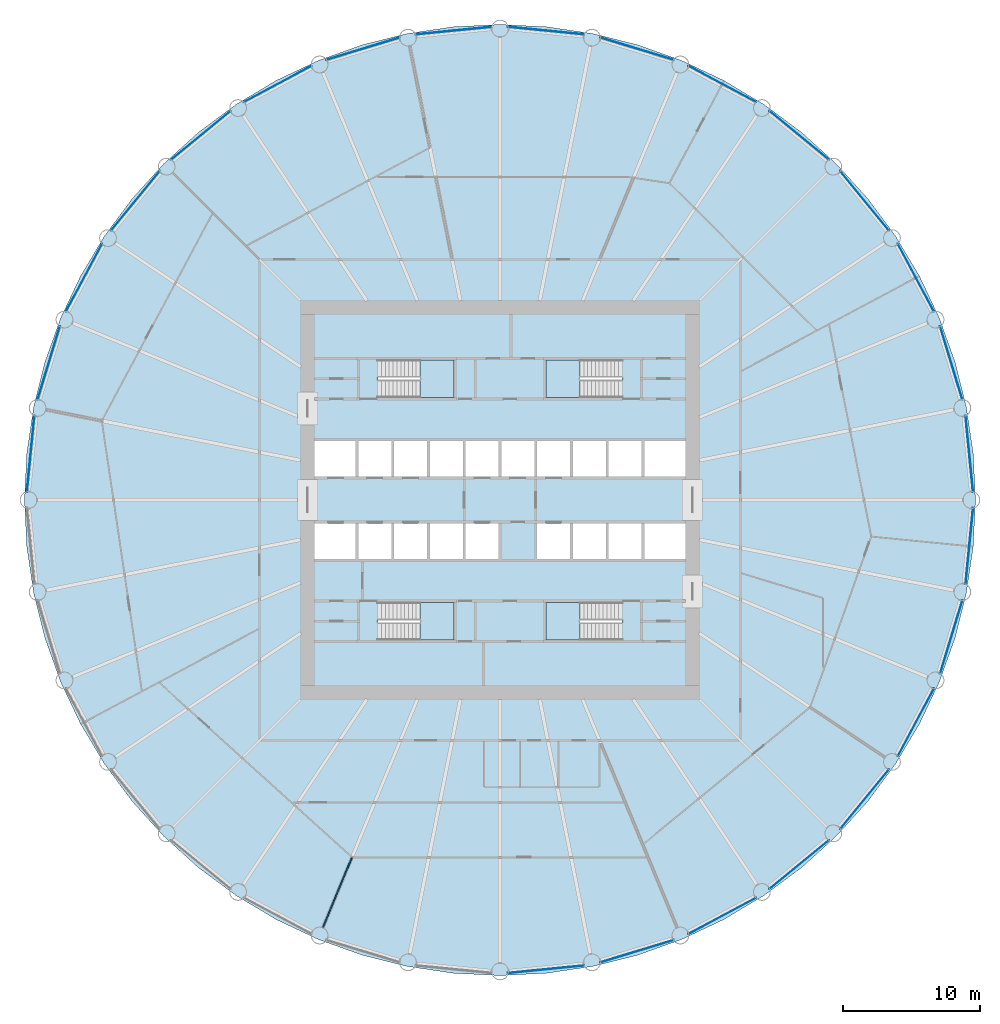
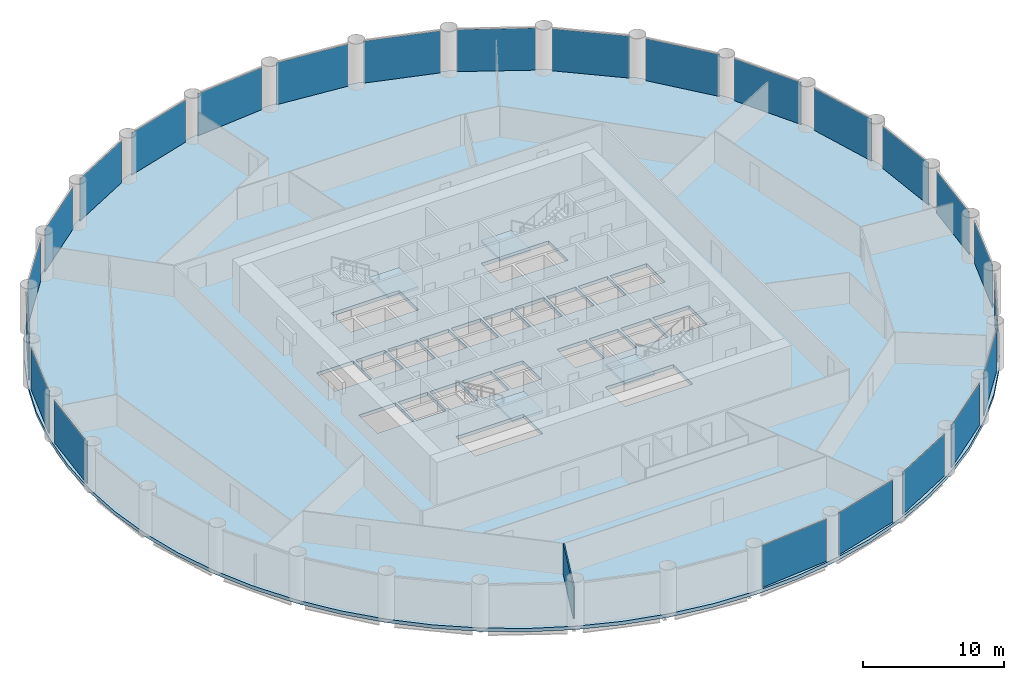
# One storey, part 3 of 8: 24 plates, 5 slabs, 1 wall, 28 elements without a shape of their own.
"""IFC4 building model written with IfcOpenShell, lengths in metres."""

from ifc_helpers import new_model, si_unit, direction, frame, frame_2d, origin, origin_2d, place, context, subcontext, project, spatial, polyline, rectangle, outline, extrude, material, layer, layer_set, type_object, element, aggregate, save


model = new_model("IFC4")

# Units and contexts
model_context = context("Model", 3, precision=1e-05, world=origin(), true_north=direction((0.0, 1.0)))
body_context = subcontext(model_context, "Body", "Model", "MODEL_VIEW")
ifc_project = project(units=[si_unit("LENGTHUNIT", "METRE"), si_unit("AREAUNIT", "SQUARE_METRE"), si_unit("VOLUMEUNIT", "CUBIC_METRE"), si_unit("PLANEANGLEUNIT", "RADIAN"), si_unit("MASSUNIT", "GRAM", prefix="KILO")], contexts=[model_context])

# Site, building, storey
site_placement = place(None, origin())
site = spatial("IfcSite", under=ifc_project, at=site_placement, CompositionType="ELEMENT")
building_placement = place(site_placement, origin())
building = spatial("IfcBuilding", under=site, at=building_placement, Name="Corvane Civic Tower", CompositionType="ELEMENT")
storey_placement = place(building_placement, frame((0.0, 0.0, 114.5)))
storey = spatial("IfcBuildingStorey", under=building, at=storey_placement, Name="L26", CompositionType="ELEMENT", Elevation=114.5)

# Slab
ifc_material_1 = material(Name="Concrete C40/50", Category="concrete")
ifc_layer_1 = layer(ifc_material_1, 0.300048828125)
ifc_layer_set_1 = layer_set([ifc_layer_1], Name="Concrete C40/50")
slab_type_1 = type_object("IfcSlabType", Name="FLOOR SLAB 300", PredefinedType="FLOOR", material=ifc_layer_set_1)
slab_1_placement = place(storey_placement, frame((0.0, 0.0, -0.300048828125)))
element("IfcSlab", 1, at=slab_1_placement, inside=storey, type_object=slab_type_1, Name="SLB-L26", PredefinedType="FLOOR", context=body_context, shape_type="SweptSolid", body=[
    extrude(outline(polyline([(0.0, 34.60009765625), (-3.391357421875, 34.433349609375), (-6.750244140625, 33.93505859375), (-10.0439453125, 33.110107421875), (-13.240966796875, 31.96630859375), (-16.310302734375, 30.514404296875), (-19.22265625, 28.768798828125), (-21.949951171875, 26.74609375), (-24.4658203125, 24.4658203125), (-26.74609375, 21.949951171875), (-28.768798828125, 19.22265625), (-30.514404296875, 16.310302734375), (-31.96630859375, 13.240966796875), (-33.110107421875, 10.0439453125), (-33.93505859375, 6.750244140625), (-34.433349609375, 3.391357421875), (-34.60009765625, 0.0), (-34.433349609375, -3.391357421875), (-33.93505859375, -6.750244140625), (-33.110107421875, -10.0439453125), (-31.96630859375, -13.240966796875), (-30.514404296875, -16.310302734375), (-28.768798828125, -19.22265625), (-26.74609375, -21.949951171875), (-24.4658203125, -24.4658203125), (-21.949951171875, -26.74609375), (-19.22265625, -28.768798828125), (-16.310302734375, -30.514404296875), (-13.240966796875, -31.96630859375), (-10.0439453125, -33.110107421875), (-6.750244140625, -33.93505859375), (-3.391357421875, -34.433349609375), (0.0, -34.60009765625), (3.391357421875, -34.433349609375), (6.750244140625, -33.93505859375), (10.0439453125, -33.110107421875), (13.240966796875, -31.96630859375), (16.310302734375, -30.514404296875), (19.22265625, -28.768798828125), (21.949951171875, -26.74609375), (24.4658203125, -24.4658203125), (26.74609375, -21.949951171875), (28.768798828125, -19.22265625), (30.514404296875, -16.310302734375), (31.96630859375, -13.240966796875), (33.110107421875, -10.0439453125), (33.93505859375, -6.750244140625), (34.433349609375, -3.391357421875), (34.60009765625, 0.0), (34.433349609375, 3.391357421875), (33.93505859375, 6.750244140625), (33.110107421875, 10.0439453125), (31.96630859375, 13.240966796875), (30.514404296875, 16.310302734375), (28.768798828125, 19.22265625), (26.74609375, 21.949951171875), (24.4658203125, 24.4658203125), (21.949951171875, 26.74609375), (19.22265625, 28.768798828125), (16.310302734375, 30.514404296875), (13.240966796875, 31.96630859375), (10.0439453125, 33.110107421875), (6.750244140625, 33.93505859375), (3.391357421875, 34.433349609375), (0.0, 34.60009765625)]), holes=[polyline([(-13.5, 4.300048828125), (-10.5, 4.300048828125), (-10.5, 1.699951171875), (-13.5, 1.699951171875), (-13.5, 4.300048828125)]), polyline([(-7.89990234375, 1.699951171875), (-10.300048828125, 1.699951171875), (-10.300048828125, 4.300048828125), (-7.89990234375, 4.300048828125), (-7.89990234375, 1.699951171875)]), polyline([(-7.699951171875, 4.300048828125), (-5.300048828125, 4.300048828125), (-5.300048828125, 1.699951171875), (-7.699951171875, 1.699951171875), (-7.699951171875, 4.300048828125)]), polyline([(-5.10009765625, 4.300048828125), (-2.699951171875, 4.300048828125), (-2.699951171875, 1.699951171875), (-5.10009765625, 1.699951171875), (-5.10009765625, 4.300048828125)]), polyline([(-2.5, 4.300048828125), (-0.10009765625, 4.300048828125), (-0.10009765625, 1.699951171875), (-2.5, 1.699951171875), (-2.5, 4.300048828125)]), polyline([(2.5, 4.300048828125), (2.5, 1.699951171875), (0.10009765625, 1.699951171875), (0.10009765625, 4.300048828125), (2.5, 4.300048828125)]), polyline([(2.699951171875, 4.300048828125), (5.10009765625, 4.300048828125), (5.10009765625, 1.699951171875), (2.699951171875, 1.699951171875), (2.699951171875, 4.300048828125)]), polyline([(5.300048828125, 4.300048828125), (7.699951171875, 4.300048828125), (7.699951171875, 1.699951171875), (5.300048828125, 1.699951171875), (5.300048828125, 4.300048828125)]), polyline([(7.89990234375, 4.300048828125), (10.300048828125, 4.300048828125), (10.300048828125, 1.699951171875), (7.89990234375, 1.699951171875), (7.89990234375, 4.300048828125)]), polyline([(13.5, 1.699951171875), (10.5, 1.699951171875), (10.5, 4.300048828125), (13.5, 4.300048828125), (13.5, 1.699951171875)]), polyline([(-13.5, -1.699951171875), (-10.5, -1.699951171875), (-10.5, -4.300048828125), (-13.5, -4.300048828125), (-13.5, -1.699951171875)]), polyline([(-10.300048828125, -1.699951171875), (-7.89990234375, -1.699951171875), (-7.89990234375, -4.300048828125), (-10.300048828125, -4.300048828125), (-10.300048828125, -1.699951171875)]), polyline([(-7.699951171875, -1.699951171875), (-5.300048828125, -1.699951171875), (-5.300048828125, -4.300048828125), (-7.699951171875, -4.300048828125), (-7.699951171875, -1.699951171875)]), polyline([(-5.10009765625, -1.699951171875), (-2.699951171875, -1.699951171875), (-2.699951171875, -4.300048828125), (-5.10009765625, -4.300048828125), (-5.10009765625, -1.699951171875)]), polyline([(-2.5, -1.699951171875), (-0.10009765625, -1.699951171875), (-0.10009765625, -4.300048828125), (-2.5, -4.300048828125), (-2.5, -1.699951171875)]), polyline([(2.699951171875, -1.699951171875), (5.10009765625, -1.699951171875), (5.10009765625, -4.300048828125), (2.699951171875, -4.300048828125), (2.699951171875, -1.699951171875)]), polyline([(5.300048828125, -1.699951171875), (7.699951171875, -1.699951171875), (7.699951171875, -4.300048828125), (5.300048828125, -4.300048828125), (5.300048828125, -1.699951171875)]), polyline([(7.89990234375, -4.300048828125), (7.89990234375, -1.699951171875), (10.300048828125, -1.699951171875), (10.300048828125, -4.300048828125), (7.89990234375, -4.300048828125)]), polyline([(13.5, -4.300048828125), (10.5, -4.300048828125), (10.5, -1.699951171875), (13.5, -1.699951171875), (13.5, -4.300048828125)]), polyline([(8.889892578125, 10.199951171875), (8.889892578125, 7.449951171875), (3.35009765625, 7.449951171875), (3.35009765625, 10.199951171875), (8.889892578125, 10.199951171875)]), polyline([(-8.889892578125, 7.449951171875), (-8.889892578125, 10.199951171875), (-3.35009765625, 10.199951171875), (-3.35009765625, 7.449951171875), (-8.889892578125, 7.449951171875)]), polyline([(8.889892578125, -7.449951171875), (8.889892578125, -10.199951171875), (3.35009765625, -10.199951171875), (3.35009765625, -7.449951171875), (8.889892578125, -7.449951171875)]), polyline([(-8.889892578125, -10.199951171875), (-8.889892578125, -7.449951171875), (-3.35009765625, -7.449951171875), (-3.35009765625, -10.199951171875), (-8.889892578125, -10.199951171875)])]), origin(), (0.0, 0.0, 1.0), 0.300048828125),
])

# Stair, slab
ifc_material_2 = material(Name="Concrete C40/50", Category="concrete")
stair_type = type_object("IfcStairType", Name="ST-STAIR-HALFTURN", PredefinedType="HALF_TURN_STAIR", material=ifc_material_2)
stair_1_placement = place(storey_placement, origin())
stair_1 = element("IfcStair", 2, at=stair_1_placement, inside=storey, type_object=stair_type, Name="L26 Exit stair ST1", PredefinedType="HALF_TURN_STAIR")
ifc_material_3 = material(Name="Concrete C40/50", Category="concrete")
ifc_layer_2 = layer(ifc_material_3, 0.199951171875)
ifc_layer_set_2 = layer_set([ifc_layer_2], Name="Concrete C40/50")
slab_type_2 = type_object("IfcSlabType", Name="ST-LANDING-RC", PredefinedType="LANDING", material=ifc_layer_set_2)
slab_2_placement = place(storey_placement, frame((0.0, 0.0, 1.800048828125)))
slab_2 = element("IfcSlab", 3, at=slab_2_placement, type_object=slab_type_2, Name="ST1 landing 1", PredefinedType="LANDING", context=body_context, shape_type="SweptSolid", body=[
    extrude(outline(polyline([(5.820068359375, 10.199951171875), (3.35009765625, 10.199951171875), (3.35009765625, 7.449951171875), (5.820068359375, 7.449951171875), (5.820068359375, 10.199951171875)])), origin(), (0.0, 0.0, 1.0), 0.199951171875),
])
aggregate(stair_1, [slab_2])

stair_2_placement = place(storey_placement, origin())
stair_2 = element("IfcStair", 4, at=stair_2_placement, inside=storey, type_object=stair_type, Name="L26 Exit stair ST2", PredefinedType="HALF_TURN_STAIR")
slab_3_placement = place(storey_placement, frame((0.0, 0.0, 1.800048828125)))
slab_3 = element("IfcSlab", 5, at=slab_3_placement, type_object=slab_type_2, Name="ST2 landing 1", PredefinedType="LANDING", context=body_context, shape_type="SweptSolid", body=[
    extrude(outline(polyline([(5.820068359375, -7.449951171875), (3.35009765625, -7.449951171875), (3.35009765625, -10.199951171875), (5.820068359375, -10.199951171875), (5.820068359375, -7.449951171875)])), origin(), (0.0, 0.0, 1.0), 0.199951171875),
])
aggregate(stair_2, [slab_3])

stair_3_placement = place(storey_placement, origin())
stair_3 = element("IfcStair", 6, at=stair_3_placement, inside=storey, type_object=stair_type, Name="L26 Exit stair ST3", PredefinedType="HALF_TURN_STAIR")
slab_4_placement = place(storey_placement, frame((0.0, 0.0, 1.800048828125)))
slab_4 = element("IfcSlab", 7, at=slab_4_placement, type_object=slab_type_2, Name="ST3 landing 1", PredefinedType="LANDING", context=body_context, shape_type="SweptSolid", body=[
    extrude(outline(polyline([(-5.820068359375, -10.199951171875), (-3.35009765625, -10.199951171875), (-3.35009765625, -7.449951171875), (-5.820068359375, -7.449951171875), (-5.820068359375, -10.199951171875)])), origin(), (0.0, 0.0, 1.0), 0.199951171875),
])
aggregate(stair_3, [slab_4])

stair_4_placement = place(storey_placement, origin())
stair_4 = element("IfcStair", 8, at=stair_4_placement, inside=storey, type_object=stair_type, Name="L26 Exit stair ST4", PredefinedType="HALF_TURN_STAIR")
slab_5_placement = place(storey_placement, frame((0.0, 0.0, 1.800048828125)))
slab_5 = element("IfcSlab", 9, at=slab_5_placement, type_object=slab_type_2, Name="ST4 landing 1", PredefinedType="LANDING", context=body_context, shape_type="SweptSolid", body=[
    extrude(outline(polyline([(-5.820068359375, 7.449951171875), (-3.35009765625, 7.449951171875), (-3.35009765625, 10.199951171875), (-5.820068359375, 10.199951171875), (-5.820068359375, 7.449951171875)])), origin(), (0.0, 0.0, 1.0), 0.199951171875),
])
aggregate(stair_4, [slab_5])

# Curtain wall, plate
ifc_material_4 = material(Name="Anodised aluminium bronze", Category="aluminium")
curtain_wall_type = type_object("IfcCurtainWallType", Name="TOWER CW-T1 STICK CURTAIN WALL", PredefinedType="NOTDEFINED", material=ifc_material_4)
curtain_wall_1_placement = place(storey_placement, origin())
curtain_wall_1 = element("IfcCurtainWall", 10, at=curtain_wall_1_placement, inside=storey, type_object=curtain_wall_type, Name="Curtain wall CW-T1 L26 bay 01", PredefinedType="NOTDEFINED")
ifc_material_5 = material(Name="Tinted glass", Category="glass")
ifc_layer_3 = layer(ifc_material_5, 0.035888671875)
ifc_layer_set_3 = layer_set([ifc_layer_3], Name="Tinted glass")
plate_type = type_object("IfcPlateType", Name="TOWER CW-T1 PANEL IGU36", PredefinedType="CURTAIN_PANEL", material=ifc_layer_set_3)
plate_1_placement = place(storey_placement, frame((3.36328125, 34.148681640625, 0.0), z_axis=(0.0, 0.0, 1.0), x_axis=(0.995183788169, -0.098026668644, 0.0)))
plate_1 = element("IfcPlate", 11, at=plate_1_placement, type_object=plate_type, Name="Glass panel CW-T1 L26 01.1", PredefinedType="CURTAIN_PANEL", context=body_context, shape_type="SweptSolid", body=[
    extrude(rectangle(XDim=5.58642578125, YDim=0.035888671875, at=origin_2d()), origin(), (0.0, 0.0, 1.0), 3.6298828125),
])
aggregate(curtain_wall_1, [plate_1])

curtain_wall_2_placement = place(storey_placement, origin())
curtain_wall_2 = element("IfcCurtainWall", 12, at=curtain_wall_2_placement, inside=storey, type_object=curtain_wall_type, Name="Curtain wall CW-T1 L26 bay 02", PredefinedType="NOTDEFINED")
plate_2_placement = place(storey_placement, frame((9.9609375, 32.83642578125, 0.0), z_axis=(0.0, 0.0, 1.0), x_axis=(0.956945991488, -0.290266032073, 0.0)))
plate_2 = element("IfcPlate", 13, at=plate_2_placement, type_object=plate_type, Name="Glass panel CW-T1 L26 02.1", PredefinedType="CURTAIN_PANEL", context=body_context, shape_type="SweptSolid", body=[
    extrude(rectangle(XDim=5.58642578125, YDim=0.035888671875, at=origin_2d()), origin(), (0.0, 0.0, 1.0), 3.6298828125),
])
aggregate(curtain_wall_2, [plate_2])

curtain_wall_3_placement = place(storey_placement, origin())
curtain_wall_3 = element("IfcCurtainWall", 14, at=curtain_wall_3_placement, inside=storey, type_object=curtain_wall_type, Name="Curtain wall CW-T1 L26 bay 03", PredefinedType="NOTDEFINED")
plate_3_placement = place(storey_placement, frame((16.175537109375, 30.26220703125, 0.0), z_axis=(0.0, 0.0, 1.0), x_axis=(0.881923642976, -0.471392286699, 0.0)))
plate_3 = element("IfcPlate", 15, at=plate_3_placement, type_object=plate_type, Name="Glass panel CW-T1 L26 03.1", PredefinedType="CURTAIN_PANEL", context=body_context, shape_type="SweptSolid", body=[
    extrude(rectangle(XDim=5.586669921875, YDim=0.035888671875, at=origin_2d()), origin(), (0.0, 0.0, 1.0), 3.6298828125),
])
aggregate(curtain_wall_3, [plate_3])

curtain_wall_4_placement = place(storey_placement, origin())
curtain_wall_4 = element("IfcCurtainWall", 16, at=curtain_wall_4_placement, inside=storey, type_object=curtain_wall_type, Name="Curtain wall CW-T1 L26 bay 04", PredefinedType="NOTDEFINED")
plate_4_placement = place(storey_placement, frame((21.7685546875, 26.525146484375, 0.0), z_axis=(0.0, 0.0, 1.0), x_axis=(0.773013419843, -0.63438966948, 0.0)))
plate_4 = element("IfcPlate", 17, at=plate_4_placement, type_object=plate_type, Name="Glass panel CW-T1 L26 04.1", PredefinedType="CURTAIN_PANEL", context=body_context, shape_type="SweptSolid", body=[
    extrude(rectangle(XDim=5.58642578125, YDim=0.035888671875, at=origin_2d()), origin(), (0.0, 0.0, 1.0), 3.6298828125),
])
aggregate(curtain_wall_4, [plate_4])

curtain_wall_5_placement = place(storey_placement, origin())
curtain_wall_5 = element("IfcCurtainWall", 18, at=curtain_wall_5_placement, inside=storey, type_object=curtain_wall_type, Name="Curtain wall CW-T1 L26 bay 05", PredefinedType="NOTDEFINED")
plate_5_placement = place(storey_placement, frame((26.525146484375, 21.7685546875, 0.0), z_axis=(0.0, 0.0, 1.0), x_axis=(0.63438966948, -0.773013419843, 0.0)))
plate_5 = element("IfcPlate", 19, at=plate_5_placement, type_object=plate_type, Name="Glass panel CW-T1 L26 05.1", PredefinedType="CURTAIN_PANEL", context=body_context, shape_type="SweptSolid", body=[
    extrude(rectangle(XDim=5.58642578125, YDim=0.035888671875, at=origin_2d()), origin(), (0.0, 0.0, 1.0), 3.6298828125),
])
aggregate(curtain_wall_5, [plate_5])

curtain_wall_6_placement = place(storey_placement, origin())
curtain_wall_6 = element("IfcCurtainWall", 20, at=curtain_wall_6_placement, inside=storey, type_object=curtain_wall_type, Name="Curtain wall CW-T1 L26 bay 06", PredefinedType="NOTDEFINED")
plate_6_placement = place(storey_placement, frame((30.26220703125, 16.175537109375, 0.0), z_axis=(0.0, 0.0, 1.0), x_axis=(0.471392286699, -0.881923642976, 0.0)))
plate_6 = element("IfcPlate", 21, at=plate_6_placement, type_object=plate_type, Name="Glass panel CW-T1 L26 06.1", PredefinedType="CURTAIN_PANEL", context=body_context, shape_type="SweptSolid", body=[
    extrude(rectangle(XDim=5.586669921875, YDim=0.035888671875, at=origin_2d()), origin(), (0.0, 0.0, 1.0), 3.6298828125),
])
aggregate(curtain_wall_6, [plate_6])

curtain_wall_7_placement = place(storey_placement, origin())
curtain_wall_7 = element("IfcCurtainWall", 22, at=curtain_wall_7_placement, inside=storey, type_object=curtain_wall_type, Name="Curtain wall CW-T1 L26 bay 07", PredefinedType="NOTDEFINED")
plate_7_placement = place(storey_placement, frame((32.83642578125, 9.9609375, 0.0), z_axis=(0.0, 0.0, 1.0), x_axis=(0.290266032073, -0.956945991488, 0.0)))
plate_7 = element("IfcPlate", 23, at=plate_7_placement, type_object=plate_type, Name="Glass panel CW-T1 L26 07.1", PredefinedType="CURTAIN_PANEL", context=body_context, shape_type="SweptSolid", body=[
    extrude(rectangle(XDim=5.58642578125, YDim=0.035888671875, at=origin_2d()), origin(), (0.0, 0.0, 1.0), 3.6298828125),
])
aggregate(curtain_wall_7, [plate_7])

curtain_wall_8_placement = place(storey_placement, origin())
curtain_wall_8 = element("IfcCurtainWall", 24, at=curtain_wall_8_placement, inside=storey, type_object=curtain_wall_type, Name="Curtain wall CW-T1 L26 bay 08", PredefinedType="NOTDEFINED")
plate_8_placement = place(storey_placement, frame((34.148681640625, 3.36328125, 0.0), z_axis=(0.0, 0.0, 1.0), x_axis=(0.098026668644, -0.995183788169, 0.0)))
plate_8 = element("IfcPlate", 25, at=plate_8_placement, type_object=plate_type, Name="Glass panel CW-T1 L26 08.1", PredefinedType="CURTAIN_PANEL", context=body_context, shape_type="SweptSolid", body=[
    extrude(rectangle(XDim=5.58642578125, YDim=0.035888671875, at=origin_2d()), origin(), (0.0, 0.0, 1.0), 3.6298828125),
])
aggregate(curtain_wall_8, [plate_8])

curtain_wall_9_placement = place(storey_placement, origin())
curtain_wall_9 = element("IfcCurtainWall", 26, at=curtain_wall_9_placement, inside=storey, type_object=curtain_wall_type, Name="Curtain wall CW-T1 L26 bay 09", PredefinedType="NOTDEFINED")
plate_9_placement = place(storey_placement, frame((34.148681640625, -3.36328125, 0.0), z_axis=(0.0, 0.0, 1.0), x_axis=(-0.098026668644, -0.995183788169, 0.0)))
plate_9 = element("IfcPlate", 27, at=plate_9_placement, type_object=plate_type, Name="Glass panel CW-T1 L26 09.1", PredefinedType="CURTAIN_PANEL", context=body_context, shape_type="SweptSolid", body=[
    extrude(rectangle(XDim=5.58642578125, YDim=0.035888671875, at=origin_2d()), origin(), (0.0, 0.0, 1.0), 3.6298828125),
])
aggregate(curtain_wall_9, [plate_9])

curtain_wall_10_placement = place(storey_placement, origin())
curtain_wall_10 = element("IfcCurtainWall", 28, at=curtain_wall_10_placement, inside=storey, type_object=curtain_wall_type, Name="Curtain wall CW-T1 L26 bay 10", PredefinedType="NOTDEFINED")
plate_10_placement = place(storey_placement, frame((32.83642578125, -9.9609375, 0.0), z_axis=(0.0, 0.0, 1.0), x_axis=(-0.290266032073, -0.956945991488, 0.0)))
plate_10 = element("IfcPlate", 29, at=plate_10_placement, type_object=plate_type, Name="Glass panel CW-T1 L26 10.1", PredefinedType="CURTAIN_PANEL", context=body_context, shape_type="SweptSolid", body=[
    extrude(rectangle(XDim=5.58642578125, YDim=0.035888671875, at=origin_2d()), origin(), (0.0, 0.0, 1.0), 3.6298828125),
])
aggregate(curtain_wall_10, [plate_10])

curtain_wall_11_placement = place(storey_placement, origin())
curtain_wall_11 = element("IfcCurtainWall", 30, at=curtain_wall_11_placement, inside=storey, type_object=curtain_wall_type, Name="Curtain wall CW-T1 L26 bay 11", PredefinedType="NOTDEFINED")
plate_11_placement = place(storey_placement, frame((30.26220703125, -16.175537109375, 0.0), z_axis=(0.0, 0.0, 1.0), x_axis=(-0.471392286699, -0.881923642976, 0.0)))
plate_11 = element("IfcPlate", 31, at=plate_11_placement, type_object=plate_type, Name="Glass panel CW-T1 L26 11.1", PredefinedType="CURTAIN_PANEL", context=body_context, shape_type="SweptSolid", body=[
    extrude(rectangle(XDim=5.586669921875, YDim=0.035888671875, at=origin_2d()), origin(), (0.0, 0.0, 1.0), 3.6298828125),
])
aggregate(curtain_wall_11, [plate_11])

curtain_wall_12_placement = place(storey_placement, origin())
curtain_wall_12 = element("IfcCurtainWall", 32, at=curtain_wall_12_placement, inside=storey, type_object=curtain_wall_type, Name="Curtain wall CW-T1 L26 bay 12", PredefinedType="NOTDEFINED")
plate_12_placement = place(storey_placement, frame((26.525146484375, -21.7685546875, 0.0), z_axis=(0.0, 0.0, 1.0), x_axis=(-0.63438966948, -0.773013419843, 0.0)))
plate_12 = element("IfcPlate", 33, at=plate_12_placement, type_object=plate_type, Name="Glass panel CW-T1 L26 12.1", PredefinedType="CURTAIN_PANEL", context=body_context, shape_type="SweptSolid", body=[
    extrude(rectangle(XDim=5.58642578125, YDim=0.035888671875, at=origin_2d()), origin(), (0.0, 0.0, 1.0), 3.6298828125),
])
aggregate(curtain_wall_12, [plate_12])

curtain_wall_13_placement = place(storey_placement, origin())
curtain_wall_13 = element("IfcCurtainWall", 34, at=curtain_wall_13_placement, inside=storey, type_object=curtain_wall_type, Name="Curtain wall CW-T1 L26 bay 13", PredefinedType="NOTDEFINED")
plate_13_placement = place(storey_placement, frame((21.7685546875, -26.525146484375, 0.0), z_axis=(0.0, 0.0, 1.0), x_axis=(-0.773013419843, -0.63438966948, 0.0)))
plate_13 = element("IfcPlate", 35, at=plate_13_placement, type_object=plate_type, Name="Glass panel CW-T1 L26 13.1", PredefinedType="CURTAIN_PANEL", context=body_context, shape_type="SweptSolid", body=[
    extrude(rectangle(XDim=5.58642578125, YDim=0.035888671875, at=origin_2d()), origin(), (0.0, 0.0, 1.0), 3.6298828125),
])
aggregate(curtain_wall_13, [plate_13])

curtain_wall_14_placement = place(storey_placement, origin())
curtain_wall_14 = element("IfcCurtainWall", 36, at=curtain_wall_14_placement, inside=storey, type_object=curtain_wall_type, Name="Curtain wall CW-T1 L26 bay 14", PredefinedType="NOTDEFINED")
plate_14_placement = place(storey_placement, frame((16.175537109375, -30.26220703125, 0.0), z_axis=(0.0, 0.0, 1.0), x_axis=(-0.881923642976, -0.471392286699, 0.0)))
plate_14 = element("IfcPlate", 37, at=plate_14_placement, type_object=plate_type, Name="Glass panel CW-T1 L26 14.1", PredefinedType="CURTAIN_PANEL", context=body_context, shape_type="SweptSolid", body=[
    extrude(rectangle(XDim=5.586669921875, YDim=0.035888671875, at=origin_2d()), origin(), (0.0, 0.0, 1.0), 3.6298828125),
])
aggregate(curtain_wall_14, [plate_14])

curtain_wall_15_placement = place(storey_placement, origin())
curtain_wall_15 = element("IfcCurtainWall", 38, at=curtain_wall_15_placement, inside=storey, type_object=curtain_wall_type, Name="Curtain wall CW-T1 L26 bay 15", PredefinedType="NOTDEFINED")
plate_15_placement = place(storey_placement, frame((9.9609375, -32.83642578125, 0.0), z_axis=(0.0, 0.0, 1.0), x_axis=(-0.956945991488, -0.290266032073, 0.0)))
plate_15 = element("IfcPlate", 39, at=plate_15_placement, type_object=plate_type, Name="Glass panel CW-T1 L26 15.1", PredefinedType="CURTAIN_PANEL", context=body_context, shape_type="SweptSolid", body=[
    extrude(rectangle(XDim=5.58642578125, YDim=0.035888671875, at=origin_2d()), origin(), (0.0, 0.0, 1.0), 3.6298828125),
])
aggregate(curtain_wall_15, [plate_15])

curtain_wall_16_placement = place(storey_placement, origin())
curtain_wall_16 = element("IfcCurtainWall", 40, at=curtain_wall_16_placement, inside=storey, type_object=curtain_wall_type, Name="Curtain wall CW-T1 L26 bay 16", PredefinedType="NOTDEFINED")
plate_16_placement = place(storey_placement, frame((3.36328125, -34.148681640625, 0.0), z_axis=(0.0, 0.0, 1.0), x_axis=(-0.995183788169, -0.098026668644, 0.0)))
plate_16 = element("IfcPlate", 41, at=plate_16_placement, type_object=plate_type, Name="Glass panel CW-T1 L26 16.1", PredefinedType="CURTAIN_PANEL", context=body_context, shape_type="SweptSolid", body=[
    extrude(rectangle(XDim=5.58642578125, YDim=0.035888671875, at=origin_2d()), origin(), (0.0, 0.0, 1.0), 3.6298828125),
])
aggregate(curtain_wall_16, [plate_16])

curtain_wall_17_placement = place(storey_placement, origin())
curtain_wall_17 = element("IfcCurtainWall", 42, at=curtain_wall_17_placement, inside=storey, type_object=curtain_wall_type, Name="Curtain wall CW-T1 L26 bay 25", PredefinedType="NOTDEFINED")
plate_17_placement = place(storey_placement, frame((-34.148681640625, 3.36328125, 0.0), z_axis=(0.0, 0.0, 1.0), x_axis=(0.098026668644, 0.995183788169, 0.0)))
plate_17 = element("IfcPlate", 43, at=plate_17_placement, type_object=plate_type, Name="Glass panel CW-T1 L26 25.1", PredefinedType="CURTAIN_PANEL", context=body_context, shape_type="SweptSolid", body=[
    extrude(rectangle(XDim=5.58642578125, YDim=0.035888671875, at=origin_2d()), origin(), (0.0, 0.0, 1.0), 3.6298828125),
])
aggregate(curtain_wall_17, [plate_17])

curtain_wall_18_placement = place(storey_placement, origin())
curtain_wall_18 = element("IfcCurtainWall", 44, at=curtain_wall_18_placement, inside=storey, type_object=curtain_wall_type, Name="Curtain wall CW-T1 L26 bay 26", PredefinedType="NOTDEFINED")
plate_18_placement = place(storey_placement, frame((-32.83642578125, 9.9609375, 0.0), z_axis=(0.0, 0.0, 1.0), x_axis=(0.290266032073, 0.956945991488, 0.0)))
plate_18 = element("IfcPlate", 45, at=plate_18_placement, type_object=plate_type, Name="Glass panel CW-T1 L26 26.1", PredefinedType="CURTAIN_PANEL", context=body_context, shape_type="SweptSolid", body=[
    extrude(rectangle(XDim=5.58642578125, YDim=0.035888671875, at=origin_2d()), origin(), (0.0, 0.0, 1.0), 3.6298828125),
])
aggregate(curtain_wall_18, [plate_18])

curtain_wall_19_placement = place(storey_placement, origin())
curtain_wall_19 = element("IfcCurtainWall", 46, at=curtain_wall_19_placement, inside=storey, type_object=curtain_wall_type, Name="Curtain wall CW-T1 L26 bay 27", PredefinedType="NOTDEFINED")
plate_19_placement = place(storey_placement, frame((-30.26220703125, 16.175537109375, 0.0), z_axis=(0.0, 0.0, 1.0), x_axis=(0.471392286699, 0.881923642976, 0.0)))
plate_19 = element("IfcPlate", 47, at=plate_19_placement, type_object=plate_type, Name="Glass panel CW-T1 L26 27.1", PredefinedType="CURTAIN_PANEL", context=body_context, shape_type="SweptSolid", body=[
    extrude(rectangle(XDim=5.586669921875, YDim=0.035888671875, at=origin_2d()), origin(), (0.0, 0.0, 1.0), 3.6298828125),
])
aggregate(curtain_wall_19, [plate_19])

curtain_wall_20_placement = place(storey_placement, origin())
curtain_wall_20 = element("IfcCurtainWall", 48, at=curtain_wall_20_placement, inside=storey, type_object=curtain_wall_type, Name="Curtain wall CW-T1 L26 bay 28", PredefinedType="NOTDEFINED")
plate_20_placement = place(storey_placement, frame((-26.525146484375, 21.7685546875, 0.0), z_axis=(0.0, 0.0, 1.0), x_axis=(0.63438966948, 0.773013419843, 0.0)))
plate_20 = element("IfcPlate", 49, at=plate_20_placement, type_object=plate_type, Name="Glass panel CW-T1 L26 28.1", PredefinedType="CURTAIN_PANEL", context=body_context, shape_type="SweptSolid", body=[
    extrude(rectangle(XDim=5.58642578125, YDim=0.035888671875, at=origin_2d()), origin(), (0.0, 0.0, 1.0), 3.6298828125),
])
aggregate(curtain_wall_20, [plate_20])

curtain_wall_21_placement = place(storey_placement, origin())
curtain_wall_21 = element("IfcCurtainWall", 50, at=curtain_wall_21_placement, inside=storey, type_object=curtain_wall_type, Name="Curtain wall CW-T1 L26 bay 29", PredefinedType="NOTDEFINED")
plate_21_placement = place(storey_placement, frame((-21.7685546875, 26.525146484375, 0.0), z_axis=(0.0, 0.0, 1.0), x_axis=(0.773013419843, 0.63438966948, 0.0)))
plate_21 = element("IfcPlate", 51, at=plate_21_placement, type_object=plate_type, Name="Glass panel CW-T1 L26 29.1", PredefinedType="CURTAIN_PANEL", context=body_context, shape_type="SweptSolid", body=[
    extrude(rectangle(XDim=5.58642578125, YDim=0.035888671875, at=origin_2d()), origin(), (0.0, 0.0, 1.0), 3.6298828125),
])
aggregate(curtain_wall_21, [plate_21])

curtain_wall_22_placement = place(storey_placement, origin())
curtain_wall_22 = element("IfcCurtainWall", 52, at=curtain_wall_22_placement, inside=storey, type_object=curtain_wall_type, Name="Curtain wall CW-T1 L26 bay 30", PredefinedType="NOTDEFINED")
plate_22_placement = place(storey_placement, frame((-16.175537109375, 30.26220703125, 0.0), z_axis=(0.0, 0.0, 1.0), x_axis=(0.881923642976, 0.471392286699, 0.0)))
plate_22 = element("IfcPlate", 53, at=plate_22_placement, type_object=plate_type, Name="Glass panel CW-T1 L26 30.1", PredefinedType="CURTAIN_PANEL", context=body_context, shape_type="SweptSolid", body=[
    extrude(rectangle(XDim=5.586669921875, YDim=0.035888671875, at=origin_2d()), origin(), (0.0, 0.0, 1.0), 3.6298828125),
])
aggregate(curtain_wall_22, [plate_22])

curtain_wall_23_placement = place(storey_placement, origin())
curtain_wall_23 = element("IfcCurtainWall", 54, at=curtain_wall_23_placement, inside=storey, type_object=curtain_wall_type, Name="Curtain wall CW-T1 L26 bay 31", PredefinedType="NOTDEFINED")
plate_23_placement = place(storey_placement, frame((-9.9609375, 32.83642578125, 0.0), z_axis=(0.0, 0.0, 1.0), x_axis=(0.956945991488, 0.290266032073, 0.0)))
plate_23 = element("IfcPlate", 55, at=plate_23_placement, type_object=plate_type, Name="Glass panel CW-T1 L26 31.1", PredefinedType="CURTAIN_PANEL", context=body_context, shape_type="SweptSolid", body=[
    extrude(rectangle(XDim=5.58642578125, YDim=0.035888671875, at=origin_2d()), origin(), (0.0, 0.0, 1.0), 3.6298828125),
])
aggregate(curtain_wall_23, [plate_23])

curtain_wall_24_placement = place(storey_placement, origin())
curtain_wall_24 = element("IfcCurtainWall", 56, at=curtain_wall_24_placement, inside=storey, type_object=curtain_wall_type, Name="Curtain wall CW-T1 L26 bay 32", PredefinedType="NOTDEFINED")
plate_24_placement = place(storey_placement, frame((-3.36328125, 34.148681640625, 0.0), z_axis=(0.0, 0.0, 1.0), x_axis=(0.995183788169, 0.098026668644, 0.0)))
plate_24 = element("IfcPlate", 57, at=plate_24_placement, type_object=plate_type, Name="Glass panel CW-T1 L26 32.1", PredefinedType="CURTAIN_PANEL", context=body_context, shape_type="SweptSolid", body=[
    extrude(rectangle(XDim=5.58642578125, YDim=0.035888671875, at=origin_2d()), origin(), (0.0, 0.0, 1.0), 3.6298828125),
])
aggregate(curtain_wall_24, [plate_24])

# Wall
ifc_material_6 = material(Name="Plasterboard")
ifc_layer_4 = layer(ifc_material_6, 0.10009765625)
ifc_layer_set_4 = layer_set([ifc_layer_4], Name="Plasterboard")
wall_type = type_object("IfcWallType", Name="Partition 100 plasterboard on studs", PredefinedType="PARTITIONING", material=ifc_layer_set_4)
wall_placement = place(storey_placement, frame((-12.883056640625, -31.102294921875, 0.0), z_axis=(0.0, 0.0, 1.0), x_axis=(0.382693670886, 0.923875291511, 0.0)))
element("IfcWall", 58, at=wall_placement, inside=storey, type_object=wall_type, Name="Partition L26.001", PredefinedType="PARTITIONING", context=body_context, shape_type="SweptSolid", body=[
    extrude(rectangle(XDim=5.487060546875, YDim=0.10009765625, at=frame_2d((2.74365234375, 0.0))), origin(), (0.0, 0.0, 1.0), 2.699951171875),
])

save(model, "model.ifc")
